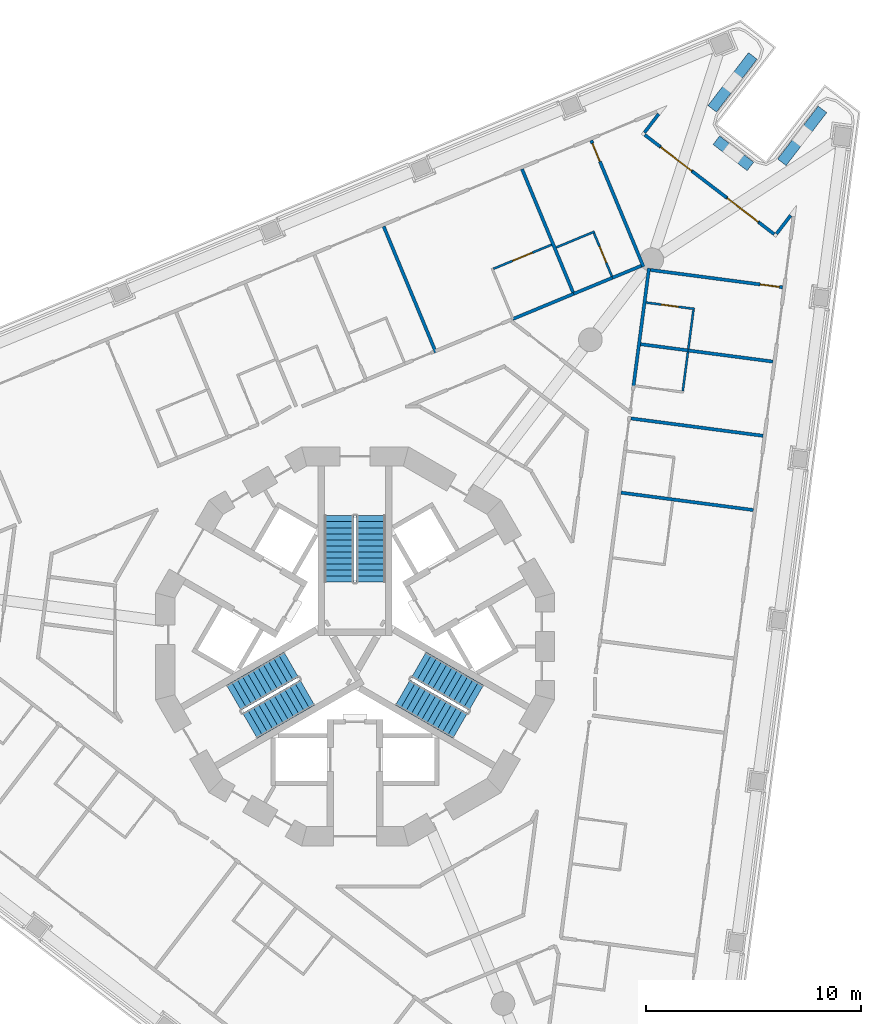
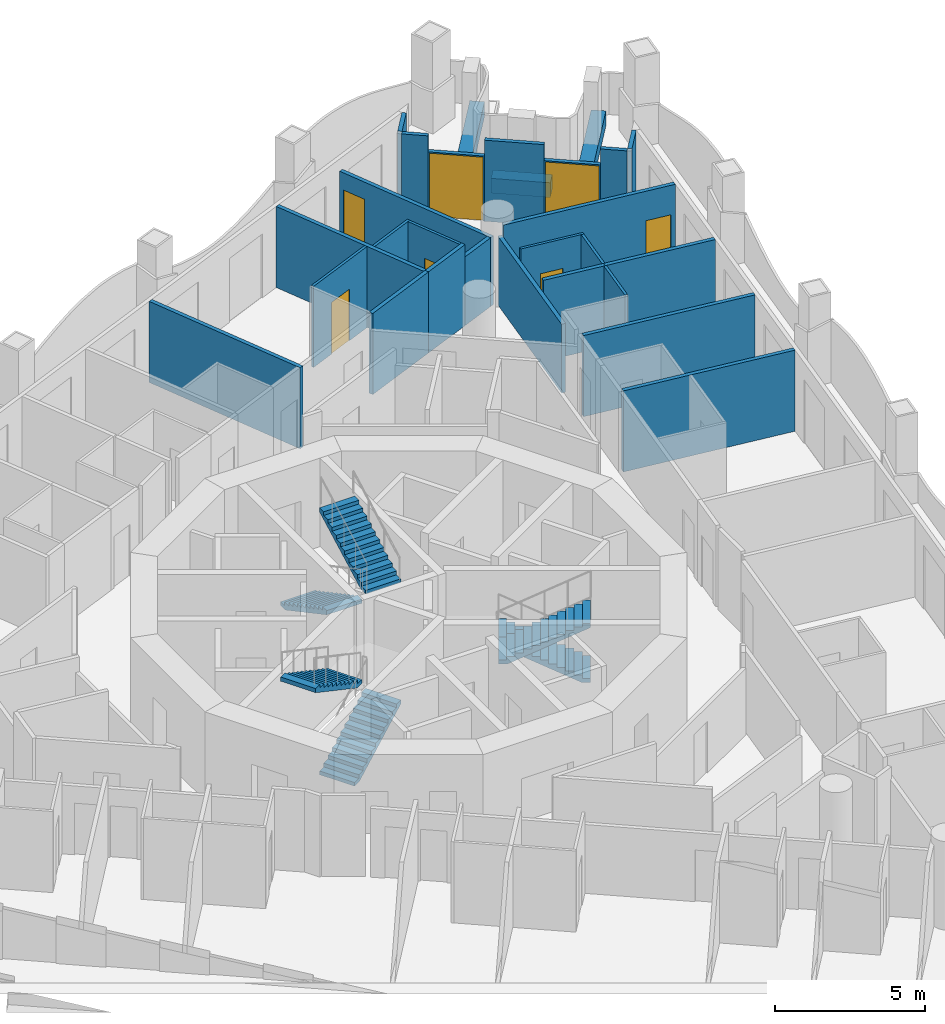
# One storey, part 10 of 17: 28 walls, 7 doors, 6 stair flights, 7 openings, 3 elements without a shape of their own.
"""IFC4 building model written with IfcOpenShell, lengths in metres."""

from ifc_helpers import new_model, si_unit, direction, frame, frame_2d, origin, place, context, subcontext, project, spatial, polyline, rectangle, outline, extrude, material, layer, layer_set, type_object, element, fill, aggregate, save


model = new_model("IFC4")

# Units and contexts
model_context = context("Model", 3, precision=1e-05, world=origin(), true_north=direction((0.0, 1.0)))
body_context = subcontext(model_context, "Body", "Model", "MODEL_VIEW")
ifc_project = project(units=[si_unit("LENGTHUNIT", "METRE"), si_unit("AREAUNIT", "SQUARE_METRE"), si_unit("VOLUMEUNIT", "CUBIC_METRE"), si_unit("PLANEANGLEUNIT", "RADIAN"), si_unit("MASSUNIT", "GRAM", prefix="KILO")], contexts=[model_context])

# Site, building, storey
site_placement = place(None, origin())
site = spatial("IfcSite", under=ifc_project, at=site_placement, CompositionType="ELEMENT")
building_placement = place(site_placement, origin())
building = spatial("IfcBuilding", under=site, at=building_placement, Name="Trine Commons Tower", CompositionType="ELEMENT")
storey_placement = place(building_placement, frame((0.0, 0.0, 138.60009765625)))
storey = spatial("IfcBuildingStorey", under=building, at=storey_placement, Name="L35", CompositionType="ELEMENT", Elevation=138.60009765625)

# Walls
ifc_material_1 = material(Name="Aluminium-framed insulated wall panel", Category="aluminium")
ifc_layer_1 = layer(ifc_material_1, 0.14990234375)
ifc_layer_set_1 = layer_set([ifc_layer_1], Name="Aluminium-framed insulated wall panel")
wall_type_1 = type_object("IfcWallType", Name="Glazed frame wall 150, EI 60", PredefinedType="SOLIDWALL", material=ifc_layer_set_1)
wall_1_placement = place(storey_placement, frame((94.193115234375, 87.345703125, 0.0), z_axis=(0.0, 0.0, 1.0), x_axis=(-0.608762998157, -0.793352136239, 0.0)))
element("IfcWall", 1, at=wall_1_placement, inside=storey, type_object=wall_type_1, Name="Glazed frame wall R5", PredefinedType="SOLIDWALL", context=body_context, shape_type="SweptSolid", body=[
    extrude(outline(polyline([(0.1494140625, 0.074951171875), (0.1494140625, -0.074951171875), (1.235107421875, -0.074951171875), (1.235107421875, 0.074951171875), (0.1494140625, 0.074951171875)])), origin(), (0.0, 0.0, 1.0), 3.2998046875),
])
wall_2_placement = place(storey_placement, frame((93.36767578125, 86.32763671875, 0.0), z_axis=(0.0, 0.0, 1.0), x_axis=(0.793331259853, -0.608790203715, 0.0)))
element("IfcWall", 2, at=wall_2_placement, inside=storey, type_object=wall_type_1, Name="Glazed frame wall P2.1", PredefinedType="SOLIDWALL", context=body_context, shape_type="SweptSolid", body=[
    extrude(outline(polyline([(0.110107421875, -0.074951171875), (1.0, -0.074951171875), (1.0, 0.074951171875), (0.110107421875, 0.074951171875), (0.110107421875, -0.074951171875)])), origin(), (0.0, 0.0, 1.0), 3.2998046875),
])

# Wall, opening, door
wall_3_placement = place(storey_placement, frame((94.1611328125, 85.71875, 0.0), z_axis=(0.0, 0.0, 1.0), x_axis=(0.793382932281, -0.608722862036, 0.0)))
wall_3 = element("IfcWall", 3, at=wall_3_placement, inside=storey, type_object=wall_type_1, Name="Glazed frame wall P2.2", PredefinedType="SOLIDWALL", context=body_context, shape_type="SweptSolid", body=[
    extrude(outline(polyline([(0.0, -0.074951171875), (1.89990234375, -0.074951171875), (1.89990234375, 0.074951171875), (0.0, 0.074951171875), (0.0, -0.074951171875)])), origin(), (0.0, 0.0, 1.0), 2.64990234375),
])
opening_1_placement = place(wall_3_placement, frame((0.050048828125, 0.0, 0.0)))
opening_1 = element("IfcOpeningElement", 4, at=opening_1_placement, cuts=wall_3, Name="Opening BD-4P2-01", PredefinedType="OPENING", context=body_context, shape_type="SweptSolid", body=[
    extrude(rectangle(XDim=1.800048828125, YDim=2.60009765625, at=frame_2d((0.89990234375, 1.300048828125))), frame((0.0, 0.0849609375, 0.0), z_axis=(0.0, -1.0, 0.0), x_axis=(1.0, 0.0, 0.0)), (0.0, 0.0, 1.0), 0.169921875),
])
ifc_material_2 = material(Name="Anodised aluminium frame with double glazing", Category="aluminium")
door_type_1 = type_object("IfcDoorType", Name="Sliding loggia door 1800x2600", OperationType="SLIDING_TO_LEFT", PredefinedType="DOOR", material=ifc_material_2)
door_1_placement = place(opening_1_placement, origin())
door_1 = element("IfcDoor", 5, at=door_1_placement, inside=storey, type_object=door_type_1, Name="Loggia door P2 1", OperationType="SLIDING_TO_LEFT", OverallHeight=2.60009765625, OverallWidth=1.800048828125, PredefinedType="DOOR", context=body_context, shape_type="SweptSolid", body=[
    extrude(rectangle(XDim=1.800048828125, YDim=2.60009765625, at=frame_2d((0.89990234375, 1.300048828125))), frame((0.0, 0.02490234375, 0.0), z_axis=(0.0, -1.0, 0.0), x_axis=(1.0, 0.0, 0.0)), (0.0, 0.0, 1.0), 0.050048828125),
])
fill(opening_1, door_1)

# Wall
wall_4_placement = place(storey_placement, frame((95.66845703125, 84.562255859375, 0.0), z_axis=(0.0, 0.0, 1.0), x_axis=(0.793344974033, -0.608772331974, 0.0)))
element("IfcWall", 6, at=wall_4_placement, inside=storey, type_object=wall_type_1, Name="Glazed frame wall P2.3", PredefinedType="SOLIDWALL", context=body_context, shape_type="SweptSolid", body=[
    extrude(outline(polyline([(0.0, -0.074951171875), (2.0, -0.074951171875), (2.0, 0.074951171875), (0.0, 0.074951171875), (0.0, -0.074951171875)])), origin(), (0.0, 0.0, 1.0), 3.2998046875),
])

# Wall, opening, door
wall_5_placement = place(storey_placement, frame((97.255126953125, 83.3447265625, 0.0), z_axis=(0.0, 0.0, 1.0), x_axis=(0.793320872023, -0.608803740143, 0.0)))
wall_5 = element("IfcWall", 7, at=wall_5_placement, inside=storey, type_object=wall_type_1, Name="Glazed frame wall P2.4", PredefinedType="SOLIDWALL", context=body_context, shape_type="SweptSolid", body=[
    extrude(outline(polyline([(0.0, -0.074951171875), (1.89990234375, -0.074951171875), (1.89990234375, 0.074951171875), (0.0, 0.074951171875), (0.0, -0.074951171875)])), origin(), (0.0, 0.0, 1.0), 2.64990234375),
])
opening_2_placement = place(wall_5_placement, frame((0.050048828125, 0.0, 0.0)))
opening_2 = element("IfcOpeningElement", 8, at=opening_2_placement, cuts=wall_5, Name="Opening BD-4P2-02", PredefinedType="OPENING", context=body_context, shape_type="SweptSolid", body=[
    extrude(rectangle(XDim=1.800048828125, YDim=2.60009765625, at=frame_2d((0.89990234375, 1.300048828125))), frame((0.0, 0.0849609375, 0.0), z_axis=(0.0, -1.0, 0.0), x_axis=(1.0, 0.0, 0.0)), (0.0, 0.0, 1.0), 0.169921875),
])
door_2_placement = place(opening_2_placement, origin())
door_2 = element("IfcDoor", 9, at=door_2_placement, inside=storey, type_object=door_type_1, Name="Loggia door P2 2", OperationType="SLIDING_TO_LEFT", OverallHeight=2.60009765625, OverallWidth=1.800048828125, PredefinedType="DOOR", context=body_context, shape_type="SweptSolid", body=[
    extrude(rectangle(XDim=1.800048828125, YDim=2.60009765625, at=frame_2d((0.89990234375, 1.300048828125))), frame((0.0, 0.02490234375, 0.0), z_axis=(0.0, -1.0, 0.0), x_axis=(1.0, 0.0, 0.0)), (0.0, 0.0, 1.0), 0.050048828125),
])
fill(opening_2, door_2)

# Walls
wall_6_placement = place(storey_placement, frame((98.762451171875, 82.18798828125, 0.0), z_axis=(0.0, 0.0, 1.0), x_axis=(0.793449156962, -0.60863653794, 0.0)))
element("IfcWall", 10, at=wall_6_placement, inside=storey, type_object=wall_type_1, Name="Glazed frame wall P2.5", PredefinedType="SOLIDWALL", context=body_context, shape_type="SweptSolid", body=[
    extrude(outline(polyline([(0.889892578125, 0.074951171875), (0.0, 0.074951171875), (0.0, -0.074951171875), (0.889892578125, -0.074951171875), (0.889892578125, 0.074951171875)])), origin(), (0.0, 0.0, 1.0), 3.2998046875),
])
wall_7_placement = place(storey_placement, frame((99.5068359375, 81.57275390625, 0.0), z_axis=(0.0, 0.0, 1.0), x_axis=(0.608762998157, 0.793352136239, 0.0)))
element("IfcWall", 11, at=wall_7_placement, inside=storey, type_object=wall_type_1, Name="Glazed frame wall R7", PredefinedType="SOLIDWALL", context=body_context, shape_type="SweptSolid", body=[
    extrude(outline(polyline([(0.110107421875, 0.074951171875), (0.110107421875, -0.074951171875), (1.19580078125, -0.074951171875), (1.19580078125, 0.074951171875), (0.110107421875, 0.074951171875)])), origin(), (0.0, 0.0, 1.0), 3.2998046875),
])
ifc_material_3 = material(Name="Planter trough, precast concrete C40/50", Category="concrete")
ifc_layer_2 = layer(ifc_material_3, 0.5)
ifc_layer_set_2 = layer_set([ifc_layer_2], Name="Planter trough, precast concrete C40/50")
wall_type_2 = type_object("IfcWallType", Name="Planter trough 500x600", PredefinedType="PARAPET", material=ifc_layer_set_2)
wall_8_placement = place(storey_placement, frame((98.474609375, 89.927490234375, 0.0), z_axis=(0.0, 0.0, 1.0), x_axis=(-0.608796883945, -0.793326133503, 0.0)))
element("IfcWall", 12, at=wall_8_placement, inside=storey, type_object=wall_type_2, Name="Planter 4", PredefinedType="PARAPET", context=body_context, shape_type="SweptSolid", body=[
    extrude(rectangle(XDim=3.099853515625, YDim=0.5, at=frame_2d((1.5498046875, 0.0))), origin(), (0.0, 0.0, 1.0), 0.599853515625),
])
wall_9_placement = place(storey_placement, frame((96.779296875, 86.010009765625, 0.0), z_axis=(0.0, 0.0, 1.0), x_axis=(0.793390207748, -0.608713379391, 0.0)))
element("IfcWall", 13, at=wall_9_placement, inside=storey, type_object=wall_type_2, Name="Planter 5", PredefinedType="PARAPET", context=body_context, shape_type="SweptSolid", body=[
    extrude(rectangle(XDim=2.000244140625, YDim=0.5, at=frame_2d((1.0, 0.0))), origin(), (0.0, 0.0, 1.0), 0.599853515625),
])
wall_10_placement = place(storey_placement, frame((99.82421875, 84.984619140625, 0.0), z_axis=(0.0, 0.0, 1.0), x_axis=(0.608796883945, 0.793326133503, 0.0)))
element("IfcWall", 14, at=wall_10_placement, inside=storey, type_object=wall_type_2, Name="Planter 6", PredefinedType="PARAPET", context=body_context, shape_type="SweptSolid", body=[
    extrude(rectangle(XDim=3.099853515625, YDim=0.5, at=frame_2d((1.5498046875, 0.0))), origin(), (0.0, 0.0, 1.0), 0.599853515625),
])
ifc_material_4 = material(Name="Gypsum plasterboard on steel stud", Category="steel")
ifc_layer_3 = layer(ifc_material_4, 0.14990234375)
ifc_layer_set_3 = layer_set([ifc_layer_3], Name="Gypsum plasterboard on steel stud")
wall_type_3 = type_object("IfcWallType", Name="Unit and corridor wall 150 mm, EI 60", PredefinedType="PARTITIONING", material=ifc_layer_set_3)
wall_11_placement = place(storey_placement, frame((81.329345703125, 82.007080078125, 0.0), z_axis=(0.0, 0.0, 1.0), x_axis=(0.38276754093, -0.923844689117, 0.0)))
element("IfcWall", 15, at=wall_11_placement, inside=storey, type_object=wall_type_3, Name="Partition 075", PredefinedType="PARTITIONING", context=body_context, shape_type="SweptSolid", body=[
    extrude(rectangle(XDim=6.344482421875, YDim=0.14990234375, at=frame_2d((3.17236328125, 0.0))), origin(), (0.0, 0.0, 1.0), 3.2998046875),
])
wall_12_placement = place(storey_placement, frame((87.33203125, 77.7080078125, 0.0), z_axis=(0.0, 0.0, 1.0), x_axis=(0.923876553121, 0.38269062517, 0.0)))
element("IfcWall", 16, at=wall_12_placement, inside=storey, type_object=wall_type_3, Name="Partition 098", PredefinedType="PARTITIONING", context=body_context, shape_type="SweptSolid", body=[
    extrude(rectangle(XDim=3.054443359375, YDim=0.14990234375, at=frame_2d((1.52734375, 0.0))), origin(), (0.0, 0.0, 1.0), 3.2998046875),
])
wall_13_placement = place(storey_placement, frame((87.75537109375, 84.66796875, 0.0), z_axis=(0.0, 0.0, 1.0), x_axis=(0.382666303598, -0.923886627293, 0.0)))
element("IfcWall", 17, at=wall_13_placement, inside=storey, type_object=wall_type_3, Name="Partition 101", PredefinedType="PARTITIONING", context=body_context, shape_type="SweptSolid", body=[
    extrude(rectangle(XDim=6.193115234375, YDim=0.14990234375, at=frame_2d((3.0966796875, 0.0))), origin(), (0.0, 0.0, 1.0), 3.2998046875),
])
wall_14_placement = place(storey_placement, frame((90.154052734375, 78.876953125, 0.0), z_axis=(0.0, 0.0, 1.0), x_axis=(0.924061346064, 0.382244200362, 0.0)))
element("IfcWall", 18, at=wall_14_placement, inside=storey, type_object=wall_type_3, Name="Partition 120", PredefinedType="PARTITIONING", context=body_context, shape_type="SweptSolid", body=[
    extrude(rectangle(XDim=2.004150390625, YDim=0.14990234375, at=frame_2d((1.001953125, 0.0))), origin(), (0.0, 0.0, 1.0), 3.2998046875),
])

# Wall, opening, door
wall_15_placement = place(storey_placement, frame((90.96826171875, 85.9990234375, 0.0), z_axis=(0.0, 0.0, 1.0), x_axis=(0.382636157896, -0.92389911282, 0.0)))
wall_15 = element("IfcWall", 19, at=wall_15_placement, inside=storey, type_object=wall_type_3, Name="Partition 122", PredefinedType="PARTITIONING", context=body_context, shape_type="SweptSolid", body=[
    extrude(rectangle(XDim=6.34423828125, YDim=0.14990234375, at=frame_2d((3.172119140625, 0.0))), origin(), (0.0, 0.0, 1.0), 2.7998046875),
])
opening_3_placement = place(wall_15_placement, frame((0.14990234375, 0.0, 0.0)))
opening_3 = element("IfcOpeningElement", 20, at=opening_3_placement, cuts=wall_15, Name="Opening D-4B12", PredefinedType="OPENING", context=body_context, shape_type="SweptSolid", body=[
    extrude(rectangle(XDim=0.89990234375, YDim=2.10009765625, at=frame_2d((0.449951171875, 1.050048828125))), frame((0.0, 0.0849609375, 0.0), z_axis=(0.0, -1.0, 0.0), x_axis=(1.0, 0.0, 0.0)), (0.0, 0.0, 1.0), 0.169921875),
])
ifc_material_5 = material(Name="Timber fire door set", Category="wood")
door_type_2 = type_object("IfcDoorType", Name="Bedroom door 900 x 2100, FD30S", OperationType="NOTDEFINED", PredefinedType="DOOR", material=ifc_material_5)
door_3_placement = place(opening_3_placement, frame((0.89990234375, 0.0, 0.0), z_axis=(0.0, 0.0, 1.0), x_axis=(-1.0, 0.0, 0.0)))
door_3 = element("IfcDoor", 21, at=door_3_placement, inside=storey, type_object=door_type_2, Name="Door D-4B12", OperationType="SINGLE_SWING_RIGHT", OverallHeight=2.10009765625, OverallWidth=0.89990234375, PredefinedType="DOOR", context=body_context, shape_type="SweptSolid", body=[
    extrude(rectangle(XDim=0.89990234375, YDim=2.10009765625, at=frame_2d((0.449951171875, 1.050048828125))), frame((0.0, 0.02490234375, 0.0), z_axis=(0.0, -1.0, 0.0), x_axis=(1.0, 0.0, 0.0)), (0.0, 0.0, 1.0), 0.050048828125),
])
fill(opening_3, door_3)

# Walls
wall_16_placement = place(storey_placement, frame((91.952880859375, 79.62109375, 0.0), z_axis=(0.0, 0.0, 1.0), x_axis=(0.923849185367, 0.382756688636, 0.0)))
element("IfcWall", 22, at=wall_16_placement, inside=storey, type_object=wall_type_3, Name="Partition 131", PredefinedType="PARTITIONING", context=body_context, shape_type="SweptSolid", body=[
    extrude(rectangle(XDim=1.45556640625, YDim=0.14990234375, at=frame_2d((0.727783203125, 0.0))), origin(), (0.0, 0.0, 1.0), 2.7998046875),
])
wall_17_placement = place(storey_placement, frame((92.357421875, 69.64111328125, 0.0), z_axis=(0.0, 0.0, 1.0), x_axis=(0.991457381012, -0.130431060858, 0.0)))
element("IfcWall", 23, at=wall_17_placement, inside=storey, type_object=wall_type_3, Name="Partition 133", PredefinedType="PARTITIONING", context=body_context, shape_type="SweptSolid", body=[
    extrude(rectangle(XDim=6.19384765625, YDim=0.14990234375, at=frame_2d((3.096923828125, 0.0))), origin(), (0.0, 0.0, 1.0), 3.2998046875),
])
wall_18_placement = place(storey_placement, frame((92.811279296875, 73.089111328125, 0.0), z_axis=(0.0, 0.0, 1.0), x_axis=(0.991458051546, -0.130425963766, 0.0)))
element("IfcWall", 24, at=wall_18_placement, inside=storey, type_object=wall_type_3, Name="Partition 138", PredefinedType="PARTITIONING", context=body_context, shape_type="SweptSolid", body=[
    extrude(rectangle(XDim=6.194091796875, YDim=0.14990234375, at=frame_2d((3.09716796875, 0.0))), origin(), (0.0, 0.0, 1.0), 3.2998046875),
])
wall_19_placement = place(storey_placement, frame((92.928466796875, 74.559326171875, 0.0), z_axis=(0.0, 0.0, 1.0), x_axis=(0.130537481379, 0.991443375062, 0.0)))
element("IfcWall", 25, at=wall_19_placement, inside=storey, type_object=wall_type_3, Name="Partition 140", PredefinedType="PARTITIONING", context=body_context, shape_type="SweptSolid", body=[
    extrude(rectangle(XDim=5.556640625, YDim=0.14990234375, at=frame_2d((2.7783203125, 0.0))), origin(), (0.0, 0.0, 1.0), 2.7998046875),
])
wall_20_placement = place(storey_placement, frame((93.264404296875, 76.537109375, 0.0), z_axis=(0.0, 0.0, 1.0), x_axis=(0.991414673446, -0.130755287757, 0.0)))
element("IfcWall", 26, at=wall_20_placement, inside=storey, type_object=wall_type_3, Name="Partition 142", PredefinedType="PARTITIONING", context=body_context, shape_type="SweptSolid", body=[
    extrude(rectangle(XDim=2.2255859375, YDim=0.14990234375, at=frame_2d((1.11279296875, 0.0))), origin(), (0.0, 0.0, 1.0), 3.2998046875),
])

# Wall, opening, door
wall_21_placement = place(storey_placement, frame((93.718505859375, 79.984130859375, 0.0), z_axis=(0.0, 0.0, 1.0), x_axis=(0.991457381012, -0.130431060858, 0.0)))
wall_21 = element("IfcWall", 27, at=wall_21_placement, inside=storey, type_object=wall_type_3, Name="Partition 144", PredefinedType="PARTITIONING", context=body_context, shape_type="SweptSolid", body=[
    extrude(rectangle(XDim=6.19384765625, YDim=0.14990234375, at=frame_2d((3.096923828125, 0.0))), origin(), (0.0, 0.0, 1.0), 3.2998046875),
])
opening_4_placement = place(wall_21_placement, frame((5.143798828125, 0.0, 0.0)))
opening_4 = element("IfcOpeningElement", 28, at=opening_4_placement, cuts=wall_21, Name="Opening D-4B13", PredefinedType="OPENING", context=body_context, shape_type="SweptSolid", body=[
    extrude(rectangle(XDim=0.89990234375, YDim=2.10009765625, at=frame_2d((0.449951171875, 1.050048828125))), frame((0.0, 0.0849609375, 0.0), z_axis=(0.0, -1.0, 0.0), x_axis=(1.0, 0.0, 0.0)), (0.0, 0.0, 1.0), 0.169921875),
])
door_4_placement = place(opening_4_placement, frame((0.89990234375, 0.0, 0.0), z_axis=(0.0, 0.0, 1.0), x_axis=(-1.0, 0.0, 0.0)))
door_4 = element("IfcDoor", 29, at=door_4_placement, inside=storey, type_object=door_type_2, Name="Door D-4B13", OperationType="SINGLE_SWING_LEFT", OverallHeight=2.10009765625, OverallWidth=0.89990234375, PredefinedType="DOOR", context=body_context, shape_type="SweptSolid", body=[
    extrude(rectangle(XDim=0.89990234375, YDim=2.10009765625, at=frame_2d((0.449951171875, 1.050048828125))), frame((0.0, 0.02490234375, 0.0), z_axis=(0.0, -1.0, 0.0), x_axis=(1.0, 0.0, 0.0)), (0.0, 0.0, 1.0), 0.050048828125),
])
fill(opening_4, door_4)

# Wall
wall_22_placement = place(storey_placement, frame((95.470947265625, 76.24609375, 0.0), z_axis=(0.0, 0.0, 1.0), x_axis=(0.991453667467, -0.130459285855, 0.0)))
element("IfcWall", 30, at=wall_22_placement, inside=storey, type_object=wall_type_3, Name="Partition 149", PredefinedType="PARTITIONING", context=body_context, shape_type="SweptSolid", body=[
    extrude(rectangle(XDim=3.96923828125, YDim=0.14990234375, at=frame_2d((1.984619140625, 0.0))), origin(), (0.0, 0.0, 1.0), 3.2998046875),
])

# Wall, opening, door
ifc_layer_4 = layer(ifc_material_4, 0.10009765625)
ifc_layer_set_4 = layer_set([ifc_layer_4], Name="Gypsum plasterboard on steel stud")
wall_type_4 = type_object("IfcWallType", Name="Unit partition 100 mm, no rating", PredefinedType="PARTITIONING", material=ifc_layer_set_4)
wall_23_placement = place(storey_placement, frame((86.42626953125, 80.0380859375, 0.0), z_axis=(0.0, 0.0, 1.0), x_axis=(0.923906972489, 0.382617179681, 0.0)))
wall_23 = element("IfcWall", 31, at=wall_23_placement, inside=storey, type_object=wall_type_4, Name="Partition 095", PredefinedType="PARTITIONING", context=body_context, shape_type="SweptSolid", body=[
    extrude(rectangle(XDim=2.925048828125, YDim=0.10009765625, at=frame_2d((1.46240234375, 0.0))), origin(), (0.0, 0.0, 1.0), 3.2998046875),
])
opening_5_placement = place(wall_23_placement, frame((0.962646484375, 0.0, 0.0)))
opening_5 = element("IfcOpeningElement", 32, at=opening_5_placement, cuts=wall_23, Name="Opening D-4B42", PredefinedType="OPENING", context=body_context, shape_type="SweptSolid", body=[
    extrude(rectangle(XDim=1.0, YDim=2.10009765625, at=frame_2d((0.5, 1.050048828125))), frame((0.0, 0.06005859375, 0.0), z_axis=(0.0, -1.0, 0.0), x_axis=(1.0, 0.0, 0.0)), (0.0, 0.0, 1.0), 0.1201171875),
])
ifc_material_6 = material(Name="Painted timber", Category="wood")
door_type_3 = type_object("IfcDoorType", Name="Internal door 1000 x 2100, NOT RATED", OperationType="NOTDEFINED", PredefinedType="DOOR", material=ifc_material_6)
door_5_placement = place(opening_5_placement, origin())
door_5 = element("IfcDoor", 33, at=door_5_placement, inside=storey, type_object=door_type_3, Name="Door D-4B42", OperationType="SINGLE_SWING_RIGHT", OverallHeight=2.10009765625, OverallWidth=1.0, PredefinedType="DOOR", context=body_context, shape_type="SweptSolid", body=[
    extrude(rectangle(XDim=1.0, YDim=2.10009765625, at=frame_2d((0.5, 1.050048828125))), frame((0.0, 0.02490234375, 0.0), z_axis=(0.0, -1.0, 0.0), x_axis=(1.0, 0.0, 0.0)), (0.0, 0.0, 1.0), 0.050048828125),
])
fill(opening_5, door_5)

# Wall
wall_24_placement = place(storey_placement, frame((89.34326171875, 81.02978515625, 0.0), z_axis=(0.0, 0.0, 1.0), x_axis=(0.923806646111, 0.382859348327, 0.0)))
element("IfcWall", 34, at=wall_24_placement, inside=storey, type_object=wall_type_4, Name="Partition 110", PredefinedType="PARTITIONING", context=body_context, shape_type="SweptSolid", body=[
    extrude(rectangle(XDim=1.92578125, YDim=0.10009765625, at=frame_2d((0.962890625, 0.0))), origin(), (0.0, 0.0, 1.0), 3.2998046875),
])

# Wall, opening, door
wall_25_placement = place(storey_placement, frame((91.09521484375, 81.701904296875, 0.0), z_axis=(0.0, 0.0, 1.0), x_axis=(0.382550074338, -0.923934759939, 0.0)))
wall_25 = element("IfcWall", 35, at=wall_25_placement, inside=storey, type_object=wall_type_4, Name="Partition 124", PredefinedType="PARTITIONING", context=body_context, shape_type="SweptSolid", body=[
    extrude(rectangle(XDim=2.175048828125, YDim=0.10009765625, at=frame_2d((1.08740234375, 0.0))), origin(), (0.0, 0.0, 1.0), 3.2998046875),
])
opening_6_placement = place(wall_25_placement, frame((0.6875, 0.0, 0.0)))
opening_6 = element("IfcOpeningElement", 36, at=opening_6_placement, cuts=wall_25, Name="Opening D-4B43", PredefinedType="OPENING", context=body_context, shape_type="SweptSolid", body=[
    extrude(rectangle(XDim=0.800048828125, YDim=2.10009765625, at=frame_2d((0.39990234375, 1.050048828125))), frame((0.0, 0.06005859375, 0.0), z_axis=(0.0, -1.0, 0.0), x_axis=(1.0, 0.0, 0.0)), (0.0, 0.0, 1.0), 0.1201171875),
])
door_type_4 = type_object("IfcDoorType", Name="Internal door 800 x 2100, NOT RATED", OperationType="NOTDEFINED", PredefinedType="DOOR", material=ifc_material_6)
door_6_placement = place(opening_6_placement, origin())
door_6 = element("IfcDoor", 37, at=door_6_placement, inside=storey, type_object=door_type_4, Name="Door D-4B43", OperationType="SINGLE_SWING_RIGHT", OverallHeight=2.10009765625, OverallWidth=0.800048828125, PredefinedType="DOOR", context=body_context, shape_type="SweptSolid", body=[
    extrude(rectangle(XDim=0.800048828125, YDim=2.10009765625, at=frame_2d((0.39990234375, 1.050048828125))), frame((0.0, 0.02490234375, 0.0), z_axis=(0.0, -1.0, 0.0), x_axis=(1.0, 0.0, 0.0)), (0.0, 0.0, 1.0), 0.050048828125),
])
fill(opening_6, door_6)

wall_26_placement = place(storey_placement, frame((93.519287109375, 78.47021484375, 0.0), z_axis=(0.0, 0.0, 1.0), x_axis=(0.991461599928, -0.130398987217, 0.0)))
wall_26 = element("IfcWall", 38, at=wall_26_placement, inside=storey, type_object=wall_type_4, Name="Partition 143", PredefinedType="PARTITIONING", context=body_context, shape_type="SweptSolid", body=[
    extrude(rectangle(XDim=2.27490234375, YDim=0.10009765625, at=frame_2d((1.137451171875, 0.0))), origin(), (0.0, 0.0, 1.0), 3.2998046875),
])
opening_7_placement = place(wall_26_placement, frame((0.71240234375, 0.0, 0.0)))
opening_7 = element("IfcOpeningElement", 39, at=opening_7_placement, cuts=wall_26, Name="Opening D-4B44", PredefinedType="OPENING", context=body_context, shape_type="SweptSolid", body=[
    extrude(rectangle(XDim=0.800048828125, YDim=2.10009765625, at=frame_2d((0.39990234375, 1.050048828125))), frame((0.0, 0.06005859375, 0.0), z_axis=(0.0, -1.0, 0.0), x_axis=(1.0, 0.0, 0.0)), (0.0, 0.0, 1.0), 0.1201171875),
])
door_7_placement = place(opening_7_placement, origin())
door_7 = element("IfcDoor", 40, at=door_7_placement, inside=storey, type_object=door_type_4, Name="Door D-4B44", OperationType="SINGLE_SWING_LEFT", OverallHeight=2.10009765625, OverallWidth=0.800048828125, PredefinedType="DOOR", context=body_context, shape_type="SweptSolid", body=[
    extrude(rectangle(XDim=0.800048828125, YDim=2.10009765625, at=frame_2d((0.39990234375, 1.050048828125))), frame((0.0, 0.02490234375, 0.0), z_axis=(0.0, -1.0, 0.0), x_axis=(1.0, 0.0, 0.0)), (0.0, 0.0, 1.0), 0.050048828125),
])
fill(opening_7, door_7)

# Walls
wall_27_placement = place(storey_placement, frame((95.222412109375, 74.362548828125, 0.0), z_axis=(0.0, 0.0, 1.0), x_axis=(0.130849048899, 0.991402303004, 0.0)))
element("IfcWall", 41, at=wall_27_placement, inside=storey, type_object=wall_type_4, Name="Partition 147", PredefinedType="PARTITIONING", context=body_context, shape_type="SweptSolid", body=[
    extrude(rectangle(XDim=1.82470703125, YDim=0.10009765625, at=frame_2d((0.912353515625, 0.0))), origin(), (0.0, 0.0, 1.0), 3.2998046875),
])
wall_28_placement = place(storey_placement, frame((95.480712890625, 76.3203125, 0.0), z_axis=(0.0, 0.0, 1.0), x_axis=(0.130253868076, 0.99148067548, 0.0)))
element("IfcWall", 42, at=wall_28_placement, inside=storey, type_object=wall_type_4, Name="Partition 148", PredefinedType="PARTITIONING", context=body_context, shape_type="SweptSolid", body=[
    extrude(rectangle(XDim=1.82568359375, YDim=0.10009765625, at=frame_2d((0.912841796875, 0.0))), origin(), (0.0, 0.0, 1.0), 3.2998046875),
])

# Stair, stair flights
ifc_material_7 = material(Name="Concrete C50/60", Category="concrete")
stair_type = type_object("IfcStairType", Name="Exit stair, dog-leg, 24 risers of 150 mm", PredefinedType="HALF_TURN_STAIR", material=ifc_material_7)
stair_1_placement = place(storey_placement, origin())
stair_1 = element("IfcStair", 43, at=stair_1_placement, inside=storey, type_object=stair_type, Name="L35 Exit stair ST1B", PredefinedType="HALF_TURN_STAIR")
stair_flight_type = type_object("IfcStairFlightType", Name="Stair flight, 1350 wide, 12 risers of 150 mm", PredefinedType="STRAIGHT", material=ifc_material_7)
stair_flight_1_placement = place(storey_placement, frame((79.25, 68.570556640625, 0.0), z_axis=(0.0, 0.0, 1.0), x_axis=(0.0, -1.0, 0.0)))
stair_flight_1 = element("IfcStairFlight", 44, at=stair_flight_1_placement, type_object=stair_flight_type, Name="ST1B flight 1", NumberOfRisers=12, NumberOfTreads=11, PredefinedType="STRAIGHT", RiserHeight=0.15, TreadLength=0.28, context=body_context, shape_type="SweptSolid", body=[
    extrude(outline(polyline([(0.0, 0.0), (0.0, 0.14990234375), (0.280029296875, 0.14990234375), (0.280029296875, 0.300048828125), (0.56005859375, 0.300048828125), (0.56005859375, 0.449951171875), (0.840087890625, 0.449951171875), (0.840087890625, 0.60009765625), (1.1201171875, 0.60009765625), (1.1201171875, 0.75), (1.39990234375, 0.75), (1.39990234375, 0.89990234375), (1.679931640625, 0.89990234375), (1.679931640625, 1.050048828125), (1.9599609375, 1.050048828125), (1.9599609375, 1.199951171875), (2.239990234375, 1.199951171875), (2.239990234375, 1.35009765625), (2.52001953125, 1.35009765625), (2.52001953125, 1.5), (2.800048828125, 1.5), (2.800048828125, 1.64990234375), (3.080078125, 1.64990234375), (3.080078125, 1.800048828125), (3.080078125, 1.47998046875), (0.3173828125, 0.0), (0.0, 0.0)])), frame((0.0, 0.675048828125, 0.0), z_axis=(0.0, -1.0, 0.0), x_axis=(1.0, 0.0, 0.0)), (0.0, 0.0, 1.0), 1.35009765625),
])
stair_flight_2_placement = place(storey_placement, frame((80.75, 65.490478515625, 1.7998046875), z_axis=(0.0, 0.0, 1.0), x_axis=(0.0, 1.0, 0.0)))
stair_flight_2 = element("IfcStairFlight", 45, at=stair_flight_2_placement, type_object=stair_flight_type, Name="ST1B flight 2", NumberOfRisers=12, NumberOfTreads=11, PredefinedType="STRAIGHT", RiserHeight=0.15, TreadLength=0.28, context=body_context, shape_type="SweptSolid", body=[
    extrude(outline(polyline([(0.0, 0.0), (0.0, 0.14990234375), (0.280029296875, 0.14990234375), (0.280029296875, 0.300048828125), (0.56005859375, 0.300048828125), (0.56005859375, 0.449951171875), (0.840087890625, 0.449951171875), (0.840087890625, 0.60009765625), (1.1201171875, 0.60009765625), (1.1201171875, 0.75), (1.39990234375, 0.75), (1.39990234375, 0.89990234375), (1.679931640625, 0.89990234375), (1.679931640625, 1.050048828125), (1.9599609375, 1.050048828125), (1.9599609375, 1.199951171875), (2.239990234375, 1.199951171875), (2.239990234375, 1.35009765625), (2.52001953125, 1.35009765625), (2.52001953125, 1.5), (2.800048828125, 1.5), (2.800048828125, 1.64990234375), (3.080078125, 1.64990234375), (3.080078125, 1.800048828125), (3.080078125, 1.47998046875), (0.3173828125, 0.0), (0.0, 0.0)])), frame((0.0, 0.675048828125, 0.0), z_axis=(0.0, -1.0, 0.0), x_axis=(1.0, 0.0, 0.0)), (0.0, 0.0, 1.0), 1.35009765625),
])
aggregate(stair_1, [stair_flight_1, stair_flight_2])

stair_2_placement = place(storey_placement, origin())
stair_2 = element("IfcStair", 46, at=stair_2_placement, inside=storey, type_object=stair_type, Name="L35 Exit stair ST2B", PredefinedType="HALF_TURN_STAIR")
stair_flight_3_placement = place(storey_placement, frame((75.11767578125, 58.815185546875, 0.0), z_axis=(0.0, 0.0, 1.0), x_axis=(0.866025403784, 0.5, 0.0)))
stair_flight_3 = element("IfcStairFlight", 47, at=stair_flight_3_placement, type_object=stair_flight_type, Name="ST2B flight 1", NumberOfRisers=12, NumberOfTreads=11, PredefinedType="STRAIGHT", RiserHeight=0.15, TreadLength=0.28, context=body_context, shape_type="SweptSolid", body=[
    extrude(outline(polyline([(0.0, 0.0), (0.0, 0.14990234375), (0.280029296875, 0.14990234375), (0.280029296875, 0.300048828125), (0.56005859375, 0.300048828125), (0.56005859375, 0.449951171875), (0.840087890625, 0.449951171875), (0.840087890625, 0.60009765625), (1.1201171875, 0.60009765625), (1.1201171875, 0.75), (1.39990234375, 0.75), (1.39990234375, 0.89990234375), (1.679931640625, 0.89990234375), (1.679931640625, 1.050048828125), (1.9599609375, 1.050048828125), (1.9599609375, 1.199951171875), (2.239990234375, 1.199951171875), (2.239990234375, 1.35009765625), (2.52001953125, 1.35009765625), (2.52001953125, 1.5), (2.800048828125, 1.5), (2.800048828125, 1.64990234375), (3.080078125, 1.64990234375), (3.080078125, 1.800048828125), (3.080078125, 1.47998046875), (0.3173828125, 0.0), (0.0, 0.0)])), frame((0.0, 0.675048828125, 0.0), z_axis=(0.0, -1.0, 0.0), x_axis=(1.0, 0.0, 0.0)), (0.0, 0.0, 1.0), 1.35009765625),
])
stair_flight_4_placement = place(storey_placement, frame((77.03515625, 61.654296875, 1.7998046875), z_axis=(0.0, 0.0, 1.0), x_axis=(-0.866025403784, -0.5, 0.0)))
stair_flight_4 = element("IfcStairFlight", 48, at=stair_flight_4_placement, type_object=stair_flight_type, Name="ST2B flight 2", NumberOfRisers=12, NumberOfTreads=11, PredefinedType="STRAIGHT", RiserHeight=0.15, TreadLength=0.28, context=body_context, shape_type="SweptSolid", body=[
    extrude(outline(polyline([(0.0, 0.0), (0.0, 0.14990234375), (0.280029296875, 0.14990234375), (0.280029296875, 0.300048828125), (0.56005859375, 0.300048828125), (0.56005859375, 0.449951171875), (0.840087890625, 0.449951171875), (0.840087890625, 0.60009765625), (1.1201171875, 0.60009765625), (1.1201171875, 0.75), (1.39990234375, 0.75), (1.39990234375, 0.89990234375), (1.679931640625, 0.89990234375), (1.679931640625, 1.050048828125), (1.9599609375, 1.050048828125), (1.9599609375, 1.199951171875), (2.239990234375, 1.199951171875), (2.239990234375, 1.35009765625), (2.52001953125, 1.35009765625), (2.52001953125, 1.5), (2.800048828125, 1.5), (2.800048828125, 1.64990234375), (3.080078125, 1.64990234375), (3.080078125, 1.800048828125), (3.080078125, 1.47998046875), (0.3173828125, 0.0), (0.0, 0.0)])), frame((0.0, 0.675048828125, 0.0), z_axis=(0.0, -1.0, 0.0), x_axis=(1.0, 0.0, 0.0)), (0.0, 0.0, 1.0), 1.35009765625),
])
aggregate(stair_2, [stair_flight_3, stair_flight_4])

stair_3_placement = place(storey_placement, origin())
stair_3 = element("IfcStair", 49, at=stair_3_placement, inside=storey, type_object=stair_type, Name="L35 Exit stair ST3B", PredefinedType="HALF_TURN_STAIR")
stair_flight_5_placement = place(storey_placement, frame((85.63232421875, 60.1142578125, 0.0), z_axis=(0.0, 0.0, 1.0), x_axis=(-0.866025403784, 0.5, 0.0)))
stair_flight_5 = element("IfcStairFlight", 50, at=stair_flight_5_placement, type_object=stair_flight_type, Name="ST3B flight 1", NumberOfRisers=12, NumberOfTreads=11, PredefinedType="STRAIGHT", RiserHeight=0.15, TreadLength=0.28, context=body_context, shape_type="SweptSolid", body=[
    extrude(outline(polyline([(0.0, 0.0), (0.0, 0.14990234375), (0.280029296875, 0.14990234375), (0.280029296875, 0.300048828125), (0.56005859375, 0.300048828125), (0.56005859375, 0.449951171875), (0.840087890625, 0.449951171875), (0.840087890625, 0.60009765625), (1.1201171875, 0.60009765625), (1.1201171875, 0.75), (1.39990234375, 0.75), (1.39990234375, 0.89990234375), (1.679931640625, 0.89990234375), (1.679931640625, 1.050048828125), (1.9599609375, 1.050048828125), (1.9599609375, 1.199951171875), (2.239990234375, 1.199951171875), (2.239990234375, 1.35009765625), (2.52001953125, 1.35009765625), (2.52001953125, 1.5), (2.800048828125, 1.5), (2.800048828125, 1.64990234375), (3.080078125, 1.64990234375), (3.080078125, 1.800048828125), (3.080078125, 1.47998046875), (0.3173828125, 0.0), (0.0, 0.0)])), frame((0.0, 0.675048828125, 0.0), z_axis=(0.0, -1.0, 0.0), x_axis=(1.0, 0.0, 0.0)), (0.0, 0.0, 1.0), 1.35009765625),
])
stair_flight_6_placement = place(storey_placement, frame((82.21484375, 60.355224609375, 1.7998046875), z_axis=(0.0, 0.0, 1.0), x_axis=(0.866025403784, -0.5, 0.0)))
stair_flight_6 = element("IfcStairFlight", 51, at=stair_flight_6_placement, type_object=stair_flight_type, Name="ST3B flight 2", NumberOfRisers=12, NumberOfTreads=11, PredefinedType="STRAIGHT", RiserHeight=0.15, TreadLength=0.28, context=body_context, shape_type="SweptSolid", body=[
    extrude(outline(polyline([(0.0, 0.0), (0.0, 0.14990234375), (0.280029296875, 0.14990234375), (0.280029296875, 0.300048828125), (0.56005859375, 0.300048828125), (0.56005859375, 0.449951171875), (0.840087890625, 0.449951171875), (0.840087890625, 0.60009765625), (1.1201171875, 0.60009765625), (1.1201171875, 0.75), (1.39990234375, 0.75), (1.39990234375, 0.89990234375), (1.679931640625, 0.89990234375), (1.679931640625, 1.050048828125), (1.9599609375, 1.050048828125), (1.9599609375, 1.199951171875), (2.239990234375, 1.199951171875), (2.239990234375, 1.35009765625), (2.52001953125, 1.35009765625), (2.52001953125, 1.5), (2.800048828125, 1.5), (2.800048828125, 1.64990234375), (3.080078125, 1.64990234375), (3.080078125, 1.800048828125), (3.080078125, 1.47998046875), (0.3173828125, 0.0), (0.0, 0.0)])), frame((0.0, 0.675048828125, 0.0), z_axis=(0.0, -1.0, 0.0), x_axis=(1.0, 0.0, 0.0)), (0.0, 0.0, 1.0), 1.35009765625),
])
aggregate(stair_3, [stair_flight_5, stair_flight_6])

save(model, "model.ifc")
